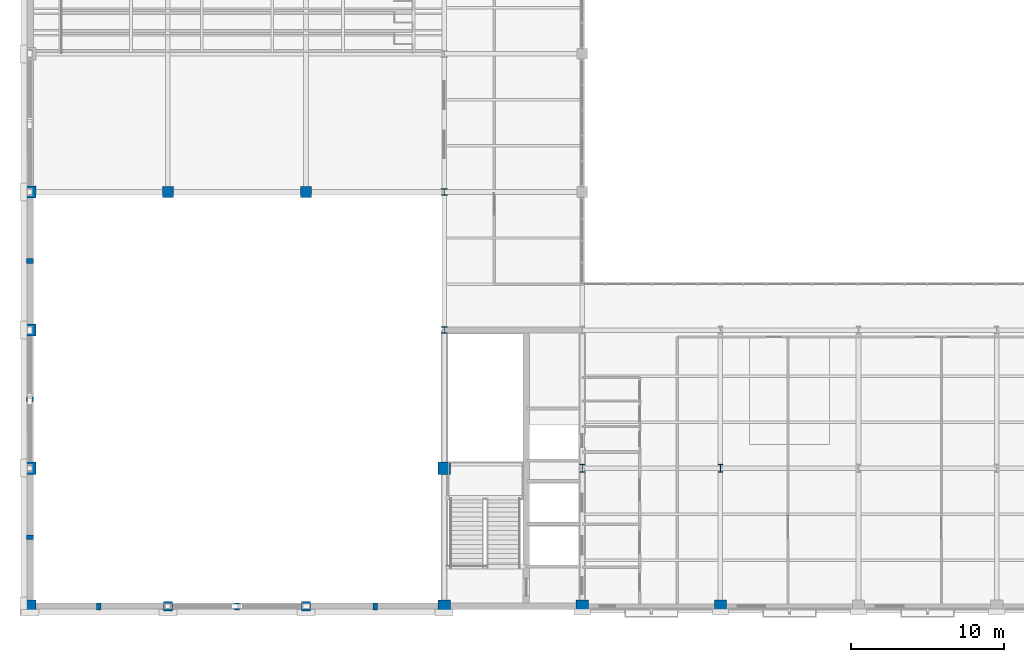
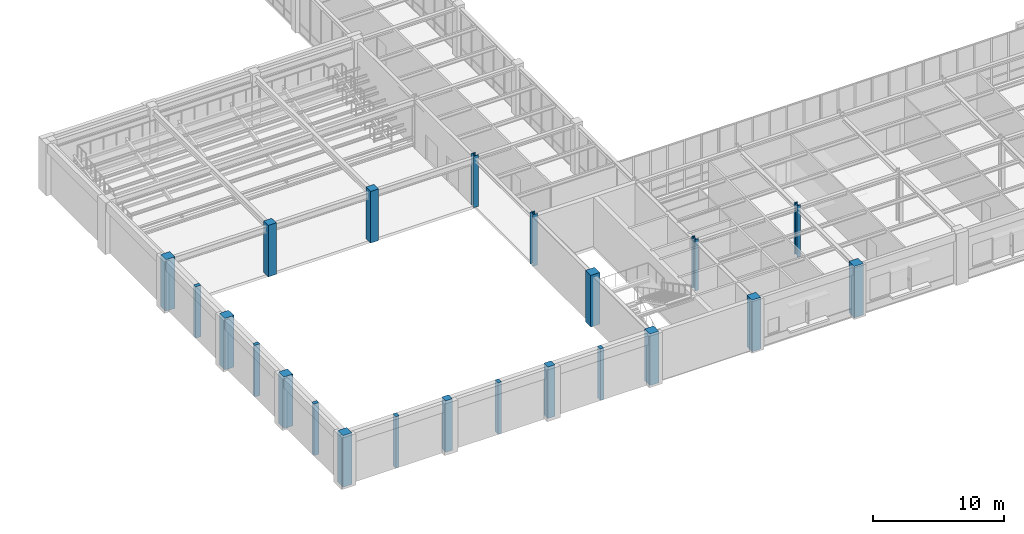
# One storey, part 1 of 98: 22 columns.
"""IFC4 building model written with IfcOpenShell, lengths in metres."""

from ifc_helpers import new_model, si_unit, direction, frame, origin, origin_2d, place, context, subcontext, project, spatial, rectangle, i_section, extrude, material, material_profile, profile_set, type_object, element, save


model = new_model("IFC4")

# Units and contexts
model_context = context("Model", 3, precision=1e-05, world=origin(), true_north=direction((0.0, 1.0)))
body_context = subcontext(model_context, "Body", "Model", "MODEL_VIEW")
ifc_project = project(units=[si_unit("LENGTHUNIT", "METRE"), si_unit("AREAUNIT", "SQUARE_METRE"), si_unit("VOLUMEUNIT", "CUBIC_METRE"), si_unit("PLANEANGLEUNIT", "RADIAN"), si_unit("MASSUNIT", "GRAM", prefix="KILO")], contexts=[model_context])

# Site, building, storey
site_placement = place(None, origin())
site = spatial("IfcSite", under=ifc_project, at=site_placement, CompositionType="ELEMENT")
building_placement = place(site_placement, origin())
building = spatial("IfcBuilding", under=site, at=building_placement, Name="Lykobir Media Centre", CompositionType="ELEMENT")
storey_placement = place(building_placement, frame((0.0, 0.0, 10.199951171875)))
storey = spatial("IfcBuildingStorey", under=building, at=storey_placement, Name="L02", CompositionType="ELEMENT", Elevation=10.199951171875)

# Columns
ifc_material_1 = material(Name="Honed Travertine Stone", Category="masonry")
ifc_material_profile_1 = material_profile(ifc_material_1, rectangle(XDim=0.300048828125, YDim=0.449951171875, at=origin_2d()), Name="RC PILASTER 450x300")
ifc_profile_set_1 = profile_set([ifc_material_profile_1], Name="Honed Travertine Stone")
column_type_1 = type_object("IfcColumnType", Name="PIL-450", PredefinedType="PILASTER", material=ifc_profile_set_1)
for number, where, z_axis, x_axis, name in (
    (1, (4.5, 0.0, 0.0), (0.0, 0.0, 1.0), (1.0, 0.0, 0.0), "V1 south pilaster L02 4.5"),
    (2, (13.5, 0.0, 0.0), (0.0, 0.0, 1.0), (1.0, 0.0, 0.0), "V1 south pilaster L02 13.5"),
    (3, (22.5, 0.0, 0.0), (0.0, 0.0, 1.0), (1.0, 0.0, 0.0), "V1 south pilaster L02 22.5"),
    (4, (0.0, 4.5, 0.0), (0.0, 0.0, 1.0), (0.0, 1.0, 0.0), "V1 west pilaster L02 4.5"),
    (5, (0.0, 13.5, 0.0), (0.0, 0.0, 1.0), (0.0, 1.0, 0.0), "V1 west pilaster L02 13.5"),
    (6, (0.0, 22.5, 0.0), (0.0, 0.0, 1.0), (0.0, 1.0, 0.0), "V1 west pilaster L02 22.5"),
):
    element("IfcColumn", number, at=place(storey_placement, frame(where, z_axis=z_axis, x_axis=x_axis)), inside=storey, type_object=column_type_1, Name=name, PredefinedType="PILASTER", context=body_context, shape_type="SweptSolid", body=[
        extrude(rectangle(XDim=0.300048828125, YDim=0.449951171875, at=origin_2d()), origin(), (0.0, 0.0, 1.0), 4.800048828125),
    ])
ifc_material_2 = material(Name="Concrete C40/50", Category="concrete")
ifc_material_profile_2 = material_profile(ifc_material_2, rectangle(XDim=0.60009765625, YDim=0.60009765625, at=origin_2d()), Name="RC 600x600")
ifc_profile_set_2 = profile_set([ifc_material_profile_2], Name="Concrete C40/50")
column_type_2 = type_object("IfcColumnType", Name="RC-C600-E", PredefinedType="COLUMN", material=ifc_profile_set_2)
for number, where, z_axis, x_axis, name in (
    (7, (9.0, 0.0, 0.0), (0.0, 0.0, 1.0), (1.0, 0.0, 0.0), "Column COL-L02-0090-0000"),
    (8, (18.0, 0.0, 0.0), (0.0, 0.0, 1.0), (1.0, 0.0, 0.0), "Column COL-L02-0180-0000"),
):
    element("IfcColumn", number, at=place(storey_placement, frame(where, z_axis=z_axis, x_axis=x_axis)), inside=storey, type_object=column_type_2, Name=name, PredefinedType="COLUMN", context=body_context, shape_type="SweptSolid", body=[
        extrude(rectangle(XDim=0.60009765625, YDim=0.60009765625, at=origin_2d()), origin(), (0.0, 0.0, 1.0), 4.800048828125),
    ])
ifc_material_profile_3 = material_profile(ifc_material_2, rectangle(XDim=0.699951171875, YDim=0.699951171875, at=origin_2d()), Name="RC 700x700")
ifc_profile_set_3 = profile_set([ifc_material_profile_3], Name="Concrete C40/50")
column_type_3 = type_object("IfcColumnType", Name="RC-C700", PredefinedType="COLUMN", material=ifc_profile_set_3)
for number, where, z_axis, x_axis, name in (
    (9, (9.0, 27.0, 0.0), (0.0, 0.0, 1.0), (1.0, 0.0, 0.0), "Column COL-L02-0090-0270"),
    (10, (18.0, 27.0, 0.0), (0.0, 0.0, 1.0), (1.0, 0.0, 0.0), "Column COL-L02-0180-0270"),
):
    element("IfcColumn", number, at=place(storey_placement, frame(where, z_axis=z_axis, x_axis=x_axis)), inside=storey, type_object=column_type_3, Name=name, PredefinedType="COLUMN", context=body_context, shape_type="SweptSolid", body=[
        extrude(rectangle(XDim=0.699951171875, YDim=0.699951171875, at=origin_2d()), origin(), (0.0, 0.0, 1.0), 4.800048828125),
    ])
ifc_material_profile_4 = material_profile(ifc_material_2, rectangle(XDim=0.800048828125, YDim=0.800048828125, at=origin_2d()), Name="RC 800x800")
ifc_profile_set_4 = profile_set([ifc_material_profile_4], Name="Concrete C40/50")
column_type_4 = type_object("IfcColumnType", Name="RC-C800", PredefinedType="COLUMN", material=ifc_profile_set_4)
column_placement = place(storey_placement, frame((27.0, 9.0, 0.0), z_axis=(0.0, 0.0, 1.0), x_axis=(1.0, 0.0, 0.0)))
element("IfcColumn", 11, at=column_placement, inside=storey, type_object=column_type_4, Name="Column COL-L02-0270-0090", PredefinedType="COLUMN", context=body_context, shape_type="SweptSolid", body=[
    extrude(rectangle(XDim=0.800048828125, YDim=0.800048828125, at=origin_2d()), origin(), (0.0, 0.0, 1.0), 4.800048828125),
])
ifc_material_profile_5 = material_profile(ifc_material_2, rectangle(XDim=0.800048828125, YDim=0.800048828125, at=origin_2d()), Name="RC 800x800")
ifc_profile_set_5 = profile_set([ifc_material_profile_5], Name="Concrete C40/50")
column_type_5 = type_object("IfcColumnType", Name="RC-C800-E", PredefinedType="COLUMN", material=ifc_profile_set_5)
for number, where, z_axis, x_axis, name in (
    (12, (0.0, 0.0, 0.0), (0.0, 0.0, 1.0), (1.0, 0.0, 0.0), "Column COL-L02-0000-0000"),
    (13, (0.0, 9.0, 0.0), (0.0, 0.0, 1.0), (1.0, 0.0, 0.0), "Column COL-L02-0000-0090"),
    (14, (0.0, 18.0, 0.0), (0.0, 0.0, 1.0), (1.0, 0.0, 0.0), "Column COL-L02-0000-0180"),
    (15, (0.0, 27.0, 0.0), (0.0, 0.0, 1.0), (1.0, 0.0, 0.0), "Column COL-L02-0000-0270"),
    (16, (27.0, 0.0, 0.0), (0.0, 0.0, 1.0), (1.0, 0.0, 0.0), "Column COL-L02-0270-0000"),
    (17, (36.0, 0.0, 0.0), (0.0, 0.0, 1.0), (1.0, 0.0, 0.0), "Column COL-L02-0360-0000"),
    (18, (45.0, 0.0, 0.0), (0.0, 0.0, 1.0), (1.0, 0.0, 0.0), "Column COL-L02-0450-0000"),
):
    element("IfcColumn", number, at=place(storey_placement, frame(where, z_axis=z_axis, x_axis=x_axis)), inside=storey, type_object=column_type_5, Name=name, PredefinedType="COLUMN", context=body_context, shape_type="SweptSolid", body=[
        extrude(rectangle(XDim=0.800048828125, YDim=0.800048828125, at=origin_2d()), origin(), (0.0, 0.0, 1.0), 4.800048828125),
    ])
ifc_material_3 = material(Name="Steel S355", Category="steel")
ifc_material_profile_6 = material_profile(ifc_material_3, i_section(OverallWidth=0.410888671875, OverallDepth=0.425048828125, WebThickness=0.021484375, FlangeThickness=0.031982421875, at=origin_2d()), Name="HD 400x421")
ifc_profile_set_6 = profile_set([ifc_material_profile_6], Name="Steel S355")
column_type_6 = type_object("IfcColumnType", Name="SC-HD421", PredefinedType="COLUMN", material=ifc_profile_set_6)
for number, where, z_axis, x_axis, name in (
    (19, (27.0, 18.0, 0.0), (0.0, 0.0, 1.0), (1.0, 0.0, 0.0), "Column COL-L02-0270-0180"),
    (20, (27.0, 27.0, 0.0), (0.0, 0.0, 1.0), (1.0, 0.0, 0.0), "Column COL-L02-0270-0270"),
):
    element("IfcColumn", number, at=place(storey_placement, frame(where, z_axis=z_axis, x_axis=x_axis)), inside=storey, type_object=column_type_6, Name=name, PredefinedType="COLUMN", context=body_context, shape_type="SweptSolid", body=[
        extrude(i_section(OverallWidth=0.410888671875, OverallDepth=0.425048828125, WebThickness=0.021484375, FlangeThickness=0.031982421875, at=origin_2d()), origin(), (0.0, 0.0, 1.0), 4.800048828125),
    ])
ifc_material_profile_7 = material_profile(ifc_material_3, i_section(OverallWidth=0.300048828125, OverallDepth=0.5, WebThickness=0.014404296875, FlangeThickness=0.028076171875, at=origin_2d()), Name="HEB 500")
ifc_profile_set_7 = profile_set([ifc_material_profile_7], Name="Steel S355")
column_type_7 = type_object("IfcColumnType", Name="SC-HEB500", PredefinedType="COLUMN", material=ifc_profile_set_7)
for number, where, z_axis, x_axis, name in (
    (21, (36.0, 9.0, 0.0), (0.0, 0.0, 1.0), (1.0, 0.0, 0.0), "Column COL-L02-0360-0090"),
    (22, (45.0, 9.0, 0.0), (0.0, 0.0, 1.0), (1.0, 0.0, 0.0), "Column COL-L02-0450-0090"),
):
    element("IfcColumn", number, at=place(storey_placement, frame(where, z_axis=z_axis, x_axis=x_axis)), inside=storey, type_object=column_type_7, Name=name, PredefinedType="COLUMN", context=body_context, shape_type="SweptSolid", body=[
        extrude(i_section(OverallWidth=0.300048828125, OverallDepth=0.5, WebThickness=0.014404296875, FlangeThickness=0.028076171875, at=origin_2d()), origin(), (0.0, 0.0, 1.0), 4.800048828125),
    ])

save(model, "model.ifc")
